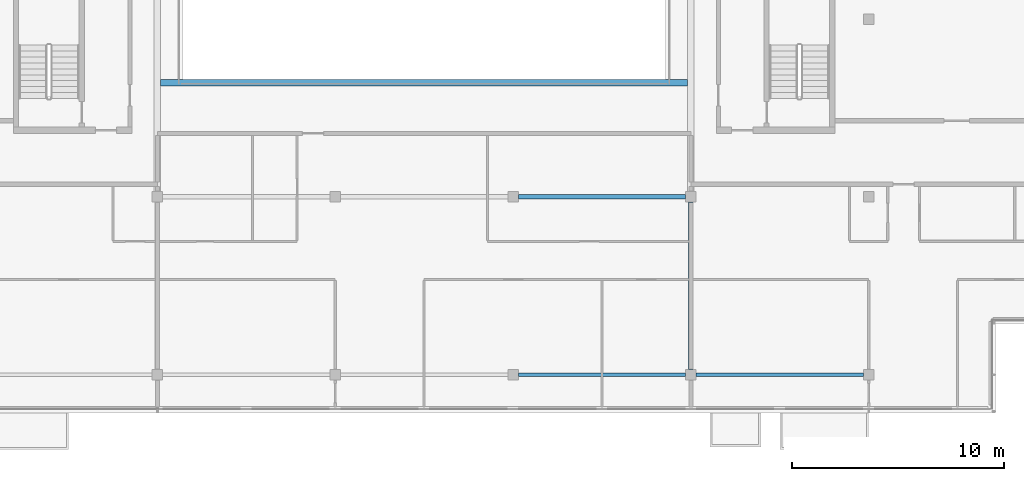
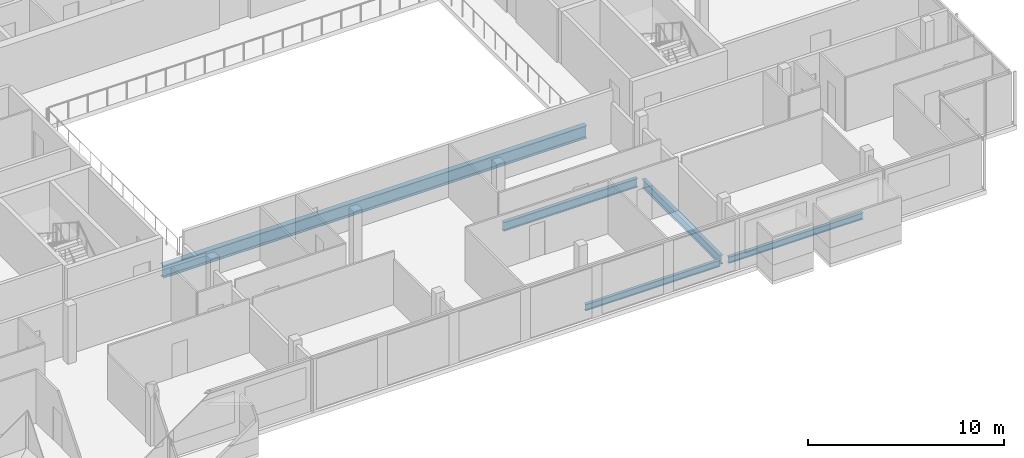
# One storey, part 7 of 24: 5 beams.
"""IFC4 building model written with IfcOpenShell, lengths in metres."""

from ifc_helpers import new_model, si_unit, direction, frame, origin, origin_2d, place, context, subcontext, project, spatial, i_section, extrude, material, material_profile, profile_set, type_object, element, save


model = new_model("IFC4")

# Units and contexts
model_context = context("Model", 3, precision=1e-05, world=origin(), true_north=direction((0.0, 1.0)))
body_context = subcontext(model_context, "Body", "Model", "MODEL_VIEW")
ifc_project = project(units=[si_unit("LENGTHUNIT", "METRE"), si_unit("AREAUNIT", "SQUARE_METRE"), si_unit("VOLUMEUNIT", "CUBIC_METRE"), si_unit("PLANEANGLEUNIT", "RADIAN"), si_unit("MASSUNIT", "GRAM", prefix="KILO")], contexts=[model_context])

# Site, building, storey
site_placement = place(None, origin())
site = spatial("IfcSite", under=ifc_project, at=site_placement, CompositionType="ELEMENT")
building_placement = place(site_placement, origin())
building = spatial("IfcBuilding", under=site, at=building_placement, Name="Saffron Gate Tower", CompositionType="ELEMENT")
storey_placement = place(building_placement, frame((0.0, 0.0, 281.550048828125)))
storey = spatial("IfcBuildingStorey", under=building, at=storey_placement, Name="L68", CompositionType="ELEMENT", Elevation=281.550048828125)

# Beams
ifc_material = material(Name="Structural steel S355", Category="steel")
ifc_material_profile_1 = material_profile(ifc_material, i_section(OverallWidth=0.2099609375, OverallDepth=0.550048828125, WebThickness=0.010986328125, FlangeThickness=0.01708984375, FilletRadius=0.02392578125, at=origin_2d()))
ifc_profile_set_1 = profile_set([ifc_material_profile_1], Name="Structural steel S355")
beam_type_1 = type_object("IfcBeamType", Name="B12 IPE 550", PredefinedType="BEAM", material=ifc_profile_set_1)
for number, where, z_axis, x_axis, name in (
    (1, (100.199951171875, 32.050048828125, -0.554931640625), (0.0, 1.0, 0.0), (-1.0, 0.0, 0.0), "B12 FLOOR GIRDER"),
    (2, (92.050048828125, 40.199951171875, -0.554931640625), (1.0, 0.0, 0.0), (0.0, 1.0, 0.0), "B12 FLOOR GIRDER"),
):
    element("IfcBeam", number, at=place(storey_placement, frame(where, z_axis=z_axis, x_axis=x_axis)), inside=storey, type_object=beam_type_1, Name=name, PredefinedType="BEAM", context=body_context, shape_type="SweptSolid", body=[
        extrude(i_section(OverallWidth=0.2099609375, OverallDepth=0.550048828125, WebThickness=0.010986328125, FlangeThickness=0.01708984375, FilletRadius=0.02392578125, at=origin_2d()), origin(), (0.0, 0.0, 1.0), 7.89990234375),
    ])
ifc_material_profile_2 = material_profile(ifc_material, i_section(OverallWidth=0.300048828125, OverallDepth=0.7900390625, WebThickness=0.014892578125, FlangeThickness=0.028076171875, FilletRadius=0.030029296875, at=origin_2d()))
ifc_profile_set_2 = profile_set([ifc_material_profile_2], Name="Structural steel S355")
beam_type_2 = type_object("IfcBeamType", Name="B18 HEA 800", PredefinedType="BEAM", material=ifc_profile_set_2)
beam_1_placement = place(storey_placement, frame((75.14990234375, 45.60009765625, -0.675048828125), z_axis=(1.0, 0.0, 0.0), x_axis=(0.0, 1.0, 0.0)))
element("IfcBeam", 3, at=beam_1_placement, inside=storey, type_object=beam_type_2, Name="B18 ATRIUM GIRDER", PredefinedType="BEAM", context=body_context, shape_type="SweptSolid", body=[
    extrude(i_section(OverallWidth=0.300048828125, OverallDepth=0.7900390625, WebThickness=0.014892578125, FlangeThickness=0.028076171875, FilletRadius=0.030029296875, at=origin_2d()), origin(), (0.0, 0.0, 1.0), 24.900146484375),
])
ifc_material_profile_3 = material_profile(ifc_material, i_section(OverallWidth=0.179931640625, OverallDepth=0.39990234375, WebThickness=0.008544921875, FlangeThickness=0.013427734375, FilletRadius=0.02099609375, at=origin_2d()))
ifc_profile_set_3 = profile_set([ifc_material_profile_3], Name="Structural steel S355")
beam_type_3 = type_object("IfcBeamType", Name="B5 IPE 400", PredefinedType="SPANDREL", material=ifc_profile_set_3)
beam_2_placement = place(storey_placement, frame((92.050048828125, 31.800048828125, -0.47998046875), z_axis=(1.0, 0.0, 0.0), x_axis=(0.0, 1.0, 0.0)))
element("IfcBeam", 4, at=beam_2_placement, inside=storey, type_object=beam_type_3, Name="B5 SPANDREL BEAM", PredefinedType="SPANDREL", context=body_context, shape_type="SweptSolid", body=[
    extrude(i_section(OverallWidth=0.179931640625, OverallDepth=0.39990234375, WebThickness=0.008544921875, FlangeThickness=0.013427734375, FilletRadius=0.02099609375, at=origin_2d()), origin(), (0.0, 0.0, 1.0), 7.89990234375),
])
beam_3_placement = place(storey_placement, frame((100.449951171875, 31.800048828125, -0.47998046875), z_axis=(1.0, 0.0, 0.0), x_axis=(0.0, 1.0, 0.0)))
element("IfcBeam", 5, at=beam_3_placement, inside=storey, type_object=beam_type_3, Name="B5 SPANDREL BEAM", PredefinedType="SPANDREL", context=body_context, shape_type="SweptSolid", body=[
    extrude(i_section(OverallWidth=0.179931640625, OverallDepth=0.39990234375, WebThickness=0.008544921875, FlangeThickness=0.013427734375, FilletRadius=0.02099609375, at=origin_2d()), origin(), (0.0, 0.0, 1.0), 7.900146484375),
])

save(model, "model.ifc")
